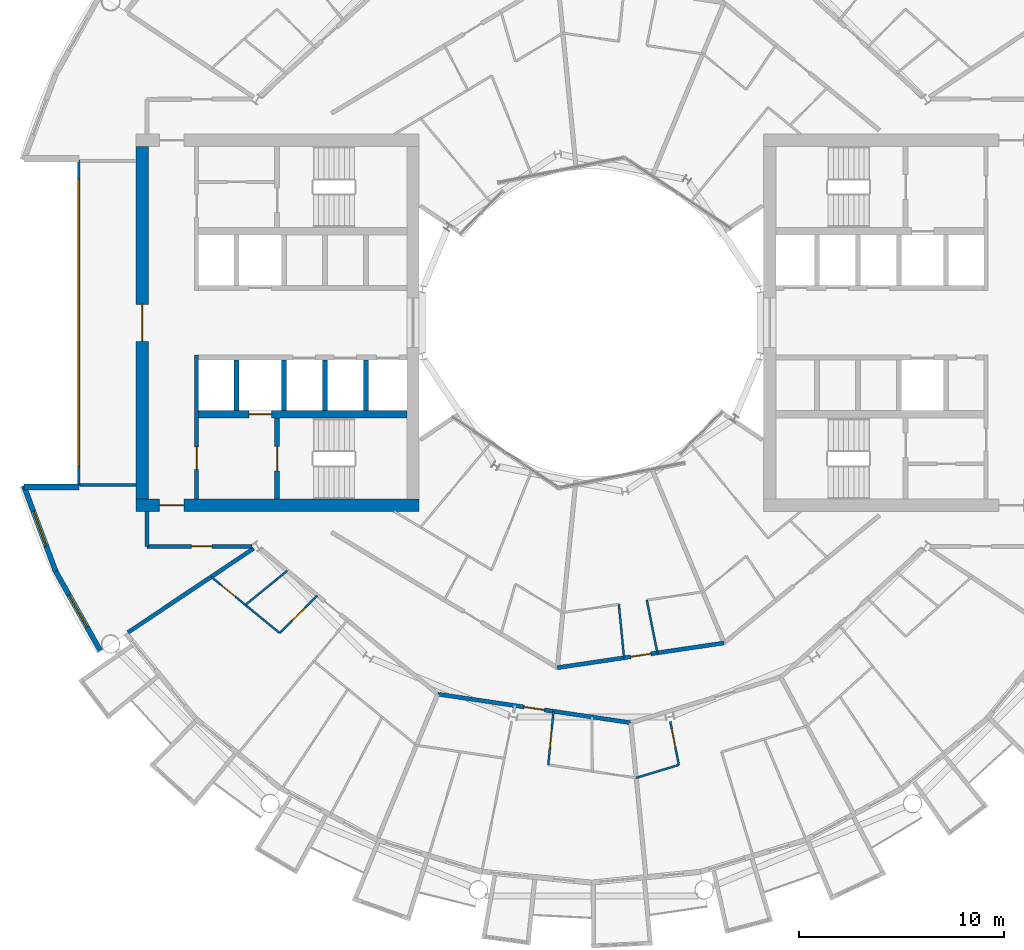
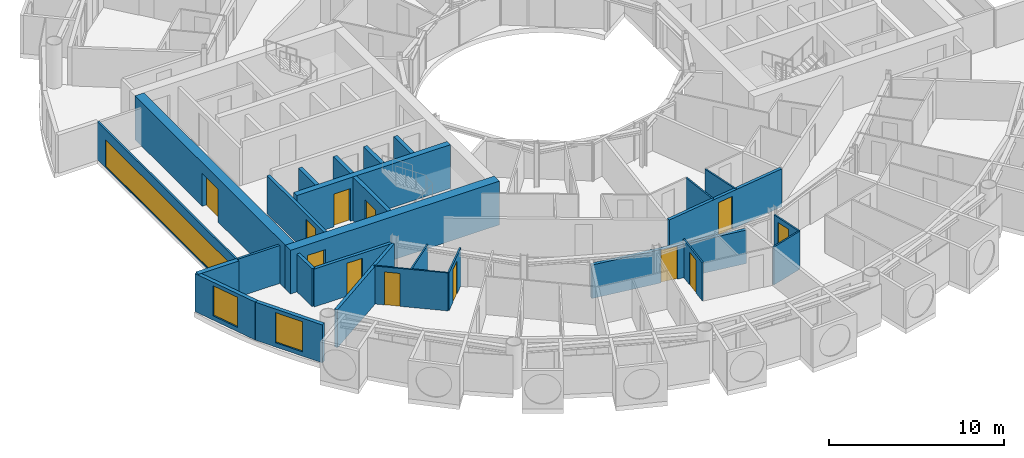
# One storey, part 15 of 27: 27 walls, 12 doors, 3 windows, 15 openings.
"""IFC4 building model written with IfcOpenShell, lengths in metres."""

from ifc_helpers import new_model, si_unit, direction, frame, frame_2d, origin, place, context, subcontext, project, spatial, rectangle, extrude, material, layer, layer_set, type_object, element, fill, save


model = new_model("IFC4")

# Units and contexts
model_context = context("Model", 3, precision=1e-05, world=origin(), true_north=direction((0.0, 1.0)))
body_context = subcontext(model_context, "Body", "Model", "MODEL_VIEW")
ifc_project = project(units=[si_unit("LENGTHUNIT", "METRE"), si_unit("AREAUNIT", "SQUARE_METRE"), si_unit("VOLUMEUNIT", "CUBIC_METRE"), si_unit("PLANEANGLEUNIT", "RADIAN"), si_unit("MASSUNIT", "GRAM", prefix="KILO")], contexts=[model_context])

# Site, building, storey
site_placement = place(None, origin())
site = spatial("IfcSite", under=ifc_project, at=site_placement, CompositionType="ELEMENT")
building_placement = place(site_placement, origin())
building = spatial("IfcBuilding", under=site, at=building_placement, Name="Maasbend Ring Residences", CompositionType="ELEMENT")
storey_placement = place(building_placement, frame((0.0, 0.0, 136.050048828125)))
storey = spatial("IfcBuildingStorey", under=building, at=storey_placement, Name="L39", CompositionType="ELEMENT", Elevation=136.050048828125)

# Wall, opening, door
ifc_material_1 = material(Name="Concrete C60/75", Category="concrete")
ifc_layer_1 = layer(ifc_material_1, 0.25)
ifc_layer_set_1 = layer_set([ifc_layer_1], Name="Concrete C60/75")
wall_type_1 = type_object("IfcWallType", Name="CORE WALL 250 C60/75", PredefinedType="SHEAR", material=ifc_layer_set_1)
wall_1_placement = place(storey_placement, frame((-15.324951171875, -4.64990234375, 0.0), z_axis=(0.0, 0.0, 1.0), x_axis=(0.0, -1.0, 0.0)))
wall_1 = element("IfcWall", 1, at=wall_1_placement, inside=storey, type_object=wall_type_1, Name="L39 core W wall STEN", PredefinedType="SHEAR", context=body_context, shape_type="SweptSolid", body=[
    extrude(rectangle(XDim=3.9501953125, YDim=0.25, at=frame_2d((1.97509765625, 0.0))), origin(), (0.0, 0.0, 1.0), 3.050048828125),
])
opening_1_placement = place(wall_1_placement, frame((1.375, 0.0, 0.0)))
opening_1 = element("IfcOpeningElement", 2, at=opening_1_placement, cuts=wall_1, Name="Opening D-W3907", PredefinedType="OPENING", context=body_context, shape_type="SweptSolid", body=[
    extrude(rectangle(XDim=1.199951171875, YDim=2.300048828125, at=frame_2d((0.60009765625, 1.14990234375))), frame((0.0, 0.135009765625, 0.0), z_axis=(0.0, -1.0, 0.0), x_axis=(1.0, 0.0, 0.0)), (0.0, 0.0, 1.0), 0.27001953125),
])
ifc_material_2 = material(Name="Steel, powder coated", Category="steel")
door_type_1 = type_object("IfcDoorType", Name="STAIR DOOR 1200 X 2300 FD60", OperationType="NOTDEFINED", PredefinedType="DOOR", material=ifc_material_2)
door_1_placement = place(opening_1_placement, origin())
door_1 = element("IfcDoor", 3, at=door_1_placement, inside=storey, type_object=door_type_1, Name="Stair door ST-W L39", OperationType="SINGLE_SWING_LEFT", OverallHeight=2.300048828125, OverallWidth=1.199951171875, PredefinedType="DOOR", context=body_context, shape_type="SweptSolid", body=[
    extrude(rectangle(XDim=1.199951171875, YDim=2.300048828125, at=frame_2d((0.60009765625, 1.14990234375))), frame((0.0, 0.02490234375, 0.0), z_axis=(0.0, -1.0, 0.0), x_axis=(1.0, 0.0, 0.0)), (0.0, 0.0, 1.0), 0.050048828125),
])
fill(opening_1, door_1)

ifc_material_3 = material(Name="Concrete C60/75", Category="concrete")
ifc_layer_2 = layer(ifc_material_3, 0.375)
ifc_layer_set_2 = layer_set([ifc_layer_2], Name="Concrete C60/75")
wall_type_2 = type_object("IfcWallType", Name="CORE WALL 375 C60/75", PredefinedType="SHEAR", material=ifc_layer_set_2)
wall_2_placement = place(storey_placement, frame((-9.0, -4.46240234375, 0.0), z_axis=(0.0, 0.0, 1.0), x_axis=(-1.0, 0.0, 0.0)))
wall_2 = element("IfcWall", 4, at=wall_2_placement, inside=storey, type_object=wall_type_2, Name="L39 core W wall BN", PredefinedType="SHEAR", context=body_context, shape_type="SweptSolid", body=[
    extrude(rectangle(XDim=10.14990234375, YDim=0.375, at=frame_2d((5.074951171875, 0.0))), origin(), (0.0, 0.0, 1.0), 3.050048828125),
])
opening_2_placement = place(wall_2_placement, frame((6.60009765625, 0.0, 0.0)))
opening_2 = element("IfcOpeningElement", 5, at=opening_2_placement, cuts=wall_2, Name="Opening LD-W3904", PredefinedType="OPENING", context=body_context, shape_type="SweptSolid", body=[
    extrude(rectangle(XDim=1.10009765625, YDim=2.300048828125, at=frame_2d((0.550048828125, 1.14990234375))), frame((0.0, 0.197509765625, 0.0), z_axis=(0.0, -1.0, 0.0), x_axis=(1.0, 0.0, 0.0)), (0.0, 0.0, 1.0), 0.39501953125),
])
ifc_material_4 = material(Name="Stainless steel 316", Category="steel")
door_type_2 = type_object("IfcDoorType", Name="LANDING DOOR 1100 X 2300 FD60", OperationType="DOUBLE_DOOR_SLIDING", PredefinedType="DOOR", material=ifc_material_4)
door_2_placement = place(opening_2_placement, origin())
door_2 = element("IfcDoor", 6, at=door_2_placement, inside=storey, type_object=door_type_2, Name="Landing door FF-W L39", OperationType="DOUBLE_DOOR_SLIDING", OverallHeight=2.300048828125, OverallWidth=1.10009765625, PredefinedType="DOOR", context=body_context, shape_type="SweptSolid", body=[
    extrude(rectangle(XDim=1.10009765625, YDim=2.300048828125, at=frame_2d((0.550048828125, 1.14990234375))), frame((0.0, 0.02490234375, 0.0), z_axis=(0.0, -1.0, 0.0), x_axis=(1.0, 0.0, 0.0)), (0.0, 0.0, 1.0), 0.050048828125),
])
fill(opening_2, door_2)

ifc_material_5 = material(Name="Concrete C60/75", Category="concrete")
ifc_layer_3 = layer(ifc_material_5, 0.60009765625)
ifc_layer_set_3 = layer_set([ifc_layer_3], Name="Concrete C60/75")
wall_type_3 = type_object("IfcWallType", Name="CORE WALL 600 C60/75", PredefinedType="SHEAR", material=ifc_layer_set_3)
wall_3_placement = place(storey_placement, frame((-22.199951171875, -8.89990234375, 0.0), z_axis=(0.0, 0.0, 1.0), x_axis=(1.0, 0.0, 0.0)))
wall_3 = element("IfcWall", 7, at=wall_3_placement, inside=storey, type_object=wall_type_3, Name="L39 core W wall PN", PredefinedType="SHEAR", context=body_context, shape_type="SweptSolid", body=[
    extrude(rectangle(XDim=13.800048828125, YDim=0.60009765625, at=frame_2d((6.89990234375, 0.0))), origin(), (0.0, 0.0, 1.0), 3.050048828125),
])
opening_3_placement = place(wall_3_placement, frame((1.125, 0.0, 0.0)))
opening_3 = element("IfcOpeningElement", 8, at=opening_3_placement, cuts=wall_3, Name="Opening D-W3911", PredefinedType="OPENING", context=body_context, shape_type="SweptSolid", body=[
    extrude(rectangle(XDim=1.199951171875, YDim=2.300048828125, at=frame_2d((0.60009765625, 1.14990234375))), frame((0.0, 0.31005859375, 0.0), z_axis=(0.0, -1.0, 0.0), x_axis=(1.0, 0.0, 0.0)), (0.0, 0.0, 1.0), 0.6201171875),
])
ifc_material_6 = material(Name="Steel, powder coated", Category="steel")
door_type_3 = type_object("IfcDoorType", Name="CORRIDOR DOOR 1200 X 2300 FD30S", OperationType="NOTDEFINED", PredefinedType="DOOR", material=ifc_material_6)
door_3_placement = place(opening_3_placement, origin())
door_3 = element("IfcDoor", 9, at=door_3_placement, inside=storey, type_object=door_type_3, Name="Corridor door L39", OperationType="SINGLE_SWING_RIGHT", OverallHeight=2.300048828125, OverallWidth=1.199951171875, PredefinedType="DOOR", context=body_context, shape_type="SweptSolid", body=[
    extrude(rectangle(XDim=1.199951171875, YDim=2.300048828125, at=frame_2d((0.60009765625, 1.14990234375))), frame((0.0, 0.02490234375, 0.0), z_axis=(0.0, -1.0, 0.0), x_axis=(1.0, 0.0, 0.0)), (0.0, 0.0, 1.0), 0.050048828125),
])
fill(opening_3, door_3)

wall_4_placement = place(storey_placement, frame((-21.89990234375, -8.60009765625, 0.0), z_axis=(0.0, 0.0, 1.0), x_axis=(0.0, 1.0, 0.0)))
wall_4 = element("IfcWall", 10, at=wall_4_placement, inside=storey, type_object=wall_type_3, Name="L39 core W wall POUT", PredefinedType="SHEAR", context=body_context, shape_type="SweptSolid", body=[
    extrude(rectangle(XDim=17.2001953125, YDim=0.60009765625, at=frame_2d((8.60009765625, 0.0))), origin(), (0.0, 0.0, 1.0), 3.050048828125),
])
opening_4_placement = place(wall_4_placement, frame((7.699951171875, 0.0, 0.0)))
opening_4 = element("IfcOpeningElement", 11, at=opening_4_placement, cuts=wall_4, Name="Opening D-W3913", PredefinedType="OPENING", context=body_context, shape_type="SweptSolid", body=[
    extrude(rectangle(XDim=1.800048828125, YDim=2.300048828125, at=frame_2d((0.89990234375, 1.14990234375))), frame((0.0, 0.31005859375, 0.0), z_axis=(0.0, -1.0, 0.0), x_axis=(1.0, 0.0, 0.0)), (0.0, 0.0, 1.0), 0.6201171875),
])
ifc_material_7 = material(Name="Aluminium frame, clear glass", Category="aluminium")
door_type_4 = type_object("IfcDoorType", Name="ENTRANCE DOOR 1800 X 2300 FD60", OperationType="NOTDEFINED", PredefinedType="DOOR", material=ifc_material_7)
door_4_placement = place(opening_4_placement, origin())
door_4 = element("IfcDoor", 12, at=door_4_placement, inside=storey, type_object=door_type_4, Name="Lobby glazed door L39", OperationType="SINGLE_SWING_LEFT", OverallHeight=2.300048828125, OverallWidth=1.800048828125, PredefinedType="DOOR", context=body_context, shape_type="SweptSolid", body=[
    extrude(rectangle(XDim=1.800048828125, YDim=2.300048828125, at=frame_2d((0.89990234375, 1.14990234375))), frame((0.0, 0.02490234375, 0.0), z_axis=(0.0, -1.0, 0.0), x_axis=(1.0, 0.0, 0.0)), (0.0, 0.0, 1.0), 0.050048828125),
])
fill(opening_4, door_4)

ifc_material_8 = material(Name="Concrete C30/37", Category="concrete")
ifc_layer_4 = layer(ifc_material_8, 0.199951171875)
ifc_layer_set_4 = layer_set([ifc_layer_4], Name="Concrete C30/37")
wall_type_4 = type_object("IfcWallType", Name="CORRIDOR WALL 200 CONCRETE", PredefinedType="PARTITIONING", material=ifc_layer_set_4)
wall_5_placement = place(storey_placement, frame((-7.4951171875, -18.111083984375, 0.0), z_axis=(0.0, 0.0, 1.0), x_axis=(0.989215286911, -0.146468823102, 0.0)))
wall_5 = element("IfcWall", 13, at=wall_5_placement, inside=storey, type_object=wall_type_4, Name="U-L39-w012", PredefinedType="PARTITIONING", context=body_context, shape_type="SweptSolid", body=[
    extrude(rectangle(XDim=9.531005859375, YDim=0.199951171875, at=frame_2d((4.765625, 0.0))), origin(), (0.0, 0.0, 1.0), 2.33984375),
])
opening_5_placement = place(wall_5_placement, frame((4.260009765625, 0.0, 0.0)))
opening_5 = element("IfcOpeningElement", 14, at=opening_5_placement, cuts=wall_5, Name="Opening D-3943", PredefinedType="OPENING", context=body_context, shape_type="SweptSolid", body=[
    extrude(rectangle(XDim=1.0, YDim=2.300048828125, at=frame_2d((0.5, 1.14990234375))), frame((0.0, 0.10986328125, 0.0), z_axis=(0.0, -1.0, 0.0), x_axis=(1.0, 0.0, 0.0)), (0.0, 0.0, 1.0), 0.219970703125),
])
ifc_material_9 = material(Name="Timber, fire-rated, painted", Category="wood")
door_type_5 = type_object("IfcDoorType", Name="FLAT ENTRANCE DOOR 1000 X 2300 FIRE-RATED", OperationType="NOTDEFINED", PredefinedType="DOOR", material=ifc_material_9)
door_5_placement = place(opening_5_placement, origin())
door_5 = element("IfcDoor", 15, at=door_5_placement, inside=storey, type_object=door_type_5, Name="D-3943", OperationType="SINGLE_SWING_LEFT", OverallHeight=2.300048828125, OverallWidth=1.0, PredefinedType="DOOR", context=body_context, shape_type="SweptSolid", body=[
    extrude(rectangle(XDim=1.0, YDim=2.300048828125, at=frame_2d((0.5, 1.14990234375))), frame((0.0, 0.02490234375, 0.0), z_axis=(0.0, -1.0, 0.0), x_axis=(1.0, 0.0, 0.0)), (0.0, 0.0, 1.0), 0.050048828125),
])
fill(opening_5, door_5)

wall_6_placement = place(storey_placement, frame((-1.657958984375, -16.819091796875, 0.0), z_axis=(0.0, 0.0, 1.0), x_axis=(0.989191327347, 0.146630549004, 0.0)))
wall_6 = element("IfcWall", 16, at=wall_6_placement, inside=storey, type_object=wall_type_4, Name="U-L39-w016", PredefinedType="PARTITIONING", context=body_context, shape_type="SweptSolid", body=[
    extrude(rectangle(XDim=8.2119140625, YDim=0.199951171875, at=frame_2d((4.10595703125, 0.0))), origin(), (0.0, 0.0, 1.0), 2.64990234375),
])
opening_6_placement = place(wall_6_placement, frame((3.60693359375, 0.0, 0.0)))
opening_6 = element("IfcOpeningElement", 17, at=opening_6_placement, cuts=wall_6, Name="Opening D-3964", PredefinedType="OPENING", context=body_context, shape_type="SweptSolid", body=[
    extrude(rectangle(XDim=1.0, YDim=2.300048828125, at=frame_2d((0.5, 1.14990234375))), frame((0.0, 0.10986328125, 0.0), z_axis=(0.0, -1.0, 0.0), x_axis=(1.0, 0.0, 0.0)), (0.0, 0.0, 1.0), 0.219970703125),
])
door_6_placement = place(opening_6_placement, origin())
door_6 = element("IfcDoor", 18, at=door_6_placement, inside=storey, type_object=door_type_5, Name="D-3964", OperationType="SINGLE_SWING_RIGHT", OverallHeight=2.300048828125, OverallWidth=1.0, PredefinedType="DOOR", context=body_context, shape_type="SweptSolid", body=[
    extrude(rectangle(XDim=1.0, YDim=2.300048828125, at=frame_2d((0.5, 1.14990234375))), frame((0.0, 0.02490234375, 0.0), z_axis=(0.0, -1.0, 0.0), x_axis=(1.0, 0.0, 0.0)), (0.0, 0.0, 1.0), 0.050048828125),
])
fill(opening_6, door_6)

wall_7_placement = place(storey_placement, frame((-21.675048828125, -10.89990234375, 0.0), z_axis=(0.0, 0.0, 1.0), x_axis=(0.99999670426, -0.002567385634, 0.0)))
wall_7 = element("IfcWall", 19, at=wall_7_placement, inside=storey, type_object=wall_type_4, Name="U-L39-w025", PredefinedType="PARTITIONING", context=body_context, shape_type="SweptSolid", body=[
    extrude(rectangle(XDim=5.135009765625, YDim=0.199951171875, at=frame_2d((2.5673828125, 0.0))), origin(), (0.0, 0.0, 1.0), 2.64990234375),
])
opening_7_placement = place(wall_7_placement, frame((2.1708984375, 0.0, 0.0)))
opening_7 = element("IfcOpeningElement", 20, at=opening_7_placement, cuts=wall_7, Name="Opening D-3971", PredefinedType="OPENING", context=body_context, shape_type="SweptSolid", body=[
    extrude(rectangle(XDim=1.0, YDim=2.300048828125, at=frame_2d((0.5, 1.14990234375))), frame((0.0, 0.10986328125, 0.0), z_axis=(0.0, -1.0, 0.0), x_axis=(1.0, 0.0, 0.0)), (0.0, 0.0, 1.0), 0.219970703125),
])
ifc_material_10 = material(Name="Timber, painted", Category="wood")
door_type_6 = type_object("IfcDoorType", Name="ROOM DOOR 1000 X 2300", OperationType="NOTDEFINED", PredefinedType="DOOR", material=ifc_material_10)
door_7_placement = place(opening_7_placement, origin())
door_7 = element("IfcDoor", 21, at=door_7_placement, inside=storey, type_object=door_type_6, Name="D-3971", OperationType="SINGLE_SWING_RIGHT", OverallHeight=2.300048828125, OverallWidth=1.0, PredefinedType="DOOR", context=body_context, shape_type="SweptSolid", body=[
    extrude(rectangle(XDim=1.0, YDim=2.300048828125, at=frame_2d((0.5, 1.14990234375))), frame((0.0, 0.02490234375, 0.0), z_axis=(0.0, -1.0, 0.0), x_axis=(1.0, 0.0, 0.0)), (0.0, 0.0, 1.0), 0.050048828125),
])
fill(opening_7, door_7)

# Wall
wall_8_placement = place(storey_placement, frame((-21.675048828125, -10.89990234375, 0.0), z_axis=(0.0, 0.0, 1.0), x_axis=(0.0, 1.0, 0.0)))
element("IfcWall", 22, at=wall_8_placement, inside=storey, type_object=wall_type_4, Name="U-L39-w123", PredefinedType="PARTITIONING", context=body_context, shape_type="SweptSolid", body=[
    extrude(rectangle(XDim=1.699951171875, YDim=0.199951171875, at=frame_2d((0.85009765625, 0.0))), origin(), (0.0, 0.0, 1.0), 2.64990234375),
])

# Wall, opening, window
ifc_material_11 = material(Name="Aluminium clad insulated panel", Category="aluminium")
ifc_layer_5 = layer(ifc_material_11, 0.25)
ifc_layer_set_5 = layer_set([ifc_layer_5], Name="EW-HORN")
wall_type_5 = type_object("IfcWallType", Name="EW-HORN", PredefinedType="SOLIDWALL", material=ifc_layer_set_5)
wall_9_placement = place(storey_placement, frame((-27.681884765625, -7.945068359375, 0.0), z_axis=(0.0, 0.0, 1.0), x_axis=(0.349247811493, -0.937030397675, 0.0)))
wall_9 = element("IfcWall", 23, at=wall_9_placement, inside=storey, type_object=wall_type_5, Name="Horn wall 3.1", PredefinedType="SOLIDWALL", context=body_context, shape_type="SweptSolid", body=[
    extrude(rectangle(XDim=4.4521484375, YDim=0.25, at=frame_2d((2.22607421875, 0.0))), origin(), (0.0, 0.0, 1.0), 2.64990234375),
])
opening_8_placement = place(wall_9_placement, frame((1.32666015625, 0.0, 0.300048828125)))
opening_8 = element("IfcOpeningElement", 24, at=opening_8_placement, cuts=wall_9, Name="Opening W-BX", PredefinedType="OPENING", context=body_context, shape_type="SweptSolid", body=[
    extrude(rectangle(XDim=1.800048828125, YDim=2.10009765625, at=frame_2d((0.89990234375, 1.050048828125))), frame((0.0, 0.135009765625, 0.0), z_axis=(0.0, -1.0, 0.0), x_axis=(1.0, 0.0, 0.0)), (0.0, 0.0, 1.0), 0.27001953125),
])
ifc_material_12 = material(Name="Aluminium and clear glass", Category="aluminium")
window_type_1 = type_object("IfcWindowType", Name="W-BX", PartitioningType="DOUBLE_PANEL_VERTICAL", PredefinedType="WINDOW", material=ifc_material_12)
window_1_placement = place(opening_8_placement, origin())
window_1 = element("IfcWindow", 25, at=window_1_placement, inside=storey, type_object=window_type_1, Name="Horn window 3.1", OverallHeight=2.10009765625, OverallWidth=1.800048828125, PartitioningType="SINGLE_PANEL", PredefinedType="WINDOW", context=body_context, shape_type="SweptSolid", body=[
    extrude(rectangle(XDim=1.800048828125, YDim=2.10009765625, at=frame_2d((0.89990234375, 1.050048828125))), frame((0.0, 0.030029296875, 0.0), z_axis=(0.0, -1.0, 0.0), x_axis=(1.0, 0.0, 0.0)), (0.0, 0.0, 1.0), 0.06005859375),
])
fill(opening_8, window_1)

wall_10_placement = place(storey_placement, frame((-26.126953125, -12.116943359375, 0.0), z_axis=(0.0, 0.0, 1.0), x_axis=(0.489696356642, -0.871893042919, 0.0)))
wall_10 = element("IfcWall", 26, at=wall_10_placement, inside=storey, type_object=wall_type_5, Name="Horn wall 3.2", PredefinedType="SOLIDWALL", context=body_context, shape_type="SweptSolid", body=[
    extrude(rectangle(XDim=4.45361328125, YDim=0.25, at=frame_2d((2.226806640625, 0.0))), origin(), (0.0, 0.0, 1.0), 2.64990234375),
])
opening_9_placement = place(wall_10_placement, frame((1.32666015625, 0.0, 0.300048828125)))
opening_9 = element("IfcOpeningElement", 27, at=opening_9_placement, cuts=wall_10, Name="Opening W-BX", PredefinedType="OPENING", context=body_context, shape_type="SweptSolid", body=[
    extrude(rectangle(XDim=1.800048828125, YDim=2.10009765625, at=frame_2d((0.89990234375, 1.050048828125))), frame((0.0, 0.135009765625, 0.0), z_axis=(0.0, -1.0, 0.0), x_axis=(1.0, 0.0, 0.0)), (0.0, 0.0, 1.0), 0.27001953125),
])
window_2_placement = place(opening_9_placement, origin())
window_2 = element("IfcWindow", 28, at=window_2_placement, inside=storey, type_object=window_type_1, Name="Horn window 3.2", OverallHeight=2.10009765625, OverallWidth=1.800048828125, PartitioningType="SINGLE_PANEL", PredefinedType="WINDOW", context=body_context, shape_type="SweptSolid", body=[
    extrude(rectangle(XDim=1.800048828125, YDim=2.10009765625, at=frame_2d((0.89990234375, 1.050048828125))), frame((0.0, 0.030029296875, 0.0), z_axis=(0.0, -1.0, 0.0), x_axis=(1.0, 0.0, 0.0)), (0.0, 0.0, 1.0), 0.06005859375),
])
fill(opening_9, window_2)

# Wall
ifc_material_13 = material(Name="Aluminium clad insulated panel", Category="aluminium")
ifc_layer_6 = layer(ifc_material_13, 0.300048828125)
ifc_layer_set_6 = layer_set([ifc_layer_6], Name="EW-RET")
wall_type_6 = type_object("IfcWallType", Name="EW-RET", PredefinedType="SOLIDWALL", material=ifc_layer_set_6)
wall_11_placement = place(storey_placement, frame((-25.0, -8.0, 0.0), z_axis=(0.0, 0.0, 1.0), x_axis=(-1.0, 0.0, 0.0)))
element("IfcWall", 29, at=wall_11_placement, inside=storey, type_object=wall_type_6, Name="Notch return wall west south", PredefinedType="SOLIDWALL", context=body_context, shape_type="SweptSolid", body=[
    extrude(rectangle(XDim=2.6669921875, YDim=0.300048828125, at=frame_2d((1.33349609375, 0.0))), origin(), (0.0, 0.0, 1.0), 2.64990234375),
])

# Wall, opening, window
ifc_material_14 = material(Name="Aluminium frame and clear glass", Category="aluminium")
ifc_layer_7 = layer(ifc_material_14, 0.1201171875)
ifc_layer_set_7 = layer_set([ifc_layer_7], Name="GLAZED SCREEN WALL 120 EI 60")
wall_type_7 = type_object("IfcWallType", Name="GLAZED SCREEN WALL 120 EI 60", PredefinedType="PARTITIONING", material=ifc_layer_set_7)
wall_12_placement = place(storey_placement, frame((-25.0, 7.949951171875, 0.0), z_axis=(0.0, 0.0, 1.0), x_axis=(0.0, -1.0, 0.0)))
wall_12 = element("IfcWall", 30, at=wall_12_placement, inside=storey, type_object=wall_type_7, Name="L39 core W wall FACE", PredefinedType="PARTITIONING", context=body_context, shape_type="SweptSolid", body=[
    extrude(rectangle(XDim=15.89990234375, YDim=0.1201171875, at=frame_2d((7.949951171875, 0.0))), origin(), (0.0, 0.0, 1.0), 2.64990234375),
])
opening_10_placement = place(wall_12_placement, frame((0.949951171875, 0.0, 0.10009765625)))
opening_10 = element("IfcOpeningElement", 31, at=opening_10_placement, cuts=wall_12, Name="Opening W-W3902", PredefinedType="OPENING", context=body_context, shape_type="SweptSolid", body=[
    extrude(rectangle(XDim=14.0, YDim=1.85009765625, at=frame_2d((7.0, 0.925048828125))), frame((0.0, 0.070068359375, 0.0), z_axis=(0.0, -1.0, 0.0), x_axis=(1.0, 0.0, 0.0)), (0.0, 0.0, 1.0), 0.14013671875),
])
ifc_material_15 = material(Name="Aluminium frame and clear glass", Category="aluminium")
window_type_2 = type_object("IfcWindowType", Name="FIXED WINDOW 14000 X 1850", PartitioningType="SINGLE_PANEL", PredefinedType="WINDOW", material=ifc_material_15)
window_3_placement = place(opening_10_placement, origin())
window_3 = element("IfcWindow", 32, at=window_3_placement, inside=storey, type_object=window_type_2, Name="Lobby window L39", OverallHeight=1.85009765625, OverallWidth=14.0, PartitioningType="SINGLE_PANEL", PredefinedType="WINDOW", context=body_context, shape_type="SweptSolid", body=[
    extrude(rectangle(XDim=14.0, YDim=1.85009765625, at=frame_2d((7.0, 0.925048828125))), frame((0.0, 0.030029296875, 0.0), z_axis=(0.0, -1.0, 0.0), x_axis=(1.0, 0.0, 0.0)), (0.0, 0.0, 1.0), 0.06005859375),
])
fill(opening_10, window_3)

# Wall
ifc_material_16 = material(Name="Gypsum board on steel studs", Category="steel")
ifc_layer_8 = layer(ifc_material_16, 0.10009765625)
ifc_layer_set_8 = layer_set([ifc_layer_8], Name="PARTITION 100 GYPSUM")
wall_type_8 = type_object("IfcWallType", Name="PARTITION 100 GYPSUM", PredefinedType="PARTITIONING", material=ifc_layer_set_8)
wall_13_placement = place(storey_placement, frame((2.179931640625, -22.195068359375, 0.0), z_axis=(0.0, 0.0, 1.0), x_axis=(0.956838221976, 0.290621088303, 0.0)))
element("IfcWall", 33, at=wall_13_placement, inside=storey, type_object=wall_type_8, Name="U-L39-w001", PredefinedType="PARTITIONING", context=body_context, shape_type="SweptSolid", body=[
    extrude(rectangle(XDim=2.175048828125, YDim=0.10009765625, at=frame_2d((1.08740234375, 0.0))), origin(), (0.0, 0.0, 1.0), 2.64990234375),
])

# Wall, opening, door
wall_14_placement = place(storey_placement, frame((-18.5419921875, -12.388916015625, 0.0), z_axis=(0.0, 0.0, 1.0), x_axis=(0.772975913823, -0.634435368379, 0.0)))
wall_14 = element("IfcWall", 34, at=wall_14_placement, inside=storey, type_object=wall_type_8, Name="U-L39-w009", PredefinedType="PARTITIONING", context=body_context, shape_type="SweptSolid", body=[
    extrude(rectangle(XDim=4.315673828125, YDim=0.10009765625, at=frame_2d((2.15771484375, 0.0))), origin(), (0.0, 0.0, 1.0), 2.64990234375),
])
opening_11_placement = place(wall_14_placement, frame((0.62890625, 0.0, 0.0)))
opening_11 = element("IfcOpeningElement", 35, at=opening_11_placement, cuts=wall_14, Name="Opening D-3937", PredefinedType="OPENING", context=body_context, shape_type="SweptSolid", body=[
    extrude(rectangle(XDim=0.89990234375, YDim=2.300048828125, at=frame_2d((0.449951171875, 1.14990234375))), frame((0.0, 0.06005859375, 0.0), z_axis=(0.0, -1.0, 0.0), x_axis=(1.0, 0.0, 0.0)), (0.0, 0.0, 1.0), 0.1201171875),
])
ifc_material_17 = material(Name="Timber, painted", Category="wood")
door_type_7 = type_object("IfcDoorType", Name="INTERNAL DOOR 900 X 2300", OperationType="NOTDEFINED", PredefinedType="DOOR", material=ifc_material_17)
door_8_placement = place(opening_11_placement, origin())
door_8 = element("IfcDoor", 36, at=door_8_placement, inside=storey, type_object=door_type_7, Name="D-3937", OperationType="SINGLE_SWING_LEFT", OverallHeight=2.300048828125, OverallWidth=0.89990234375, PredefinedType="DOOR", context=body_context, shape_type="SweptSolid", body=[
    extrude(rectangle(XDim=0.89990234375, YDim=2.300048828125, at=frame_2d((0.449951171875, 1.14990234375))), frame((0.0, 0.02490234375, 0.0), z_axis=(0.0, -1.0, 0.0), x_axis=(1.0, 0.0, 0.0)), (0.0, 0.0, 1.0), 0.050048828125),
])
fill(opening_11, door_8)

# Wall
wall_15_placement = place(storey_placement, frame((-16.8740234375, -13.758056640625, 0.0), z_axis=(0.0, 0.0, 1.0), x_axis=(0.774979608522, 0.631986239072, 0.0)))
element("IfcWall", 37, at=wall_15_placement, inside=storey, type_object=wall_type_8, Name="U-L39-w034", PredefinedType="PARTITIONING", context=body_context, shape_type="SweptSolid", body=[
    extrude(rectangle(XDim=2.63623046875, YDim=0.10009765625, at=frame_2d((1.318115234375, 0.0))), origin(), (0.0, 0.0, 1.0), 2.64990234375),
])

# Wall, opening, door
wall_16_placement = place(storey_placement, frame((-15.201904296875, -15.131103515625, 0.0), z_axis=(0.0, 0.0, 1.0), x_axis=(0.708796844581, 0.705412668665, 0.0)))
wall_16 = element("IfcWall", 38, at=wall_16_placement, inside=storey, type_object=wall_type_8, Name="U-L39-w036", PredefinedType="PARTITIONING", context=body_context, shape_type="SweptSolid", body=[
    extrude(rectangle(XDim=2.59716796875, YDim=0.10009765625, at=frame_2d((1.298583984375, 0.0))), origin(), (0.0, 0.0, 1.0), 2.64990234375),
])
opening_12_placement = place(wall_16_placement, frame((0.84912109375, 0.0, 0.0)))
opening_12 = element("IfcOpeningElement", 39, at=opening_12_placement, cuts=wall_16, Name="Opening D-3938", PredefinedType="OPENING", context=body_context, shape_type="SweptSolid", body=[
    extrude(rectangle(XDim=0.89990234375, YDim=2.300048828125, at=frame_2d((0.449951171875, 1.14990234375))), frame((0.0, 0.06005859375, 0.0), z_axis=(0.0, -1.0, 0.0), x_axis=(1.0, 0.0, 0.0)), (0.0, 0.0, 1.0), 0.1201171875),
])
door_9_placement = place(opening_12_placement, origin())
door_9 = element("IfcDoor", 40, at=door_9_placement, inside=storey, type_object=door_type_7, Name="D-3938", OperationType="SINGLE_SWING_LEFT", OverallHeight=2.300048828125, OverallWidth=0.89990234375, PredefinedType="DOOR", context=body_context, shape_type="SweptSolid", body=[
    extrude(rectangle(XDim=0.89990234375, YDim=2.300048828125, at=frame_2d((0.449951171875, 1.14990234375))), frame((0.0, 0.02490234375, 0.0), z_axis=(0.0, -1.0, 0.0), x_axis=(1.0, 0.0, 0.0)), (0.0, 0.0, 1.0), 0.050048828125),
])
fill(opening_12, door_9)

wall_17_placement = place(storey_placement, frame((-2.10205078125, -21.556884765625, 0.0), z_axis=(0.0, 0.0, 1.0), x_axis=(0.096922256818, 0.995291955224, 0.0)))
wall_17 = element("IfcWall", 41, at=wall_17_placement, inside=storey, type_object=wall_type_8, Name="U-L39-w058", PredefinedType="PARTITIONING", context=body_context, shape_type="SweptSolid", body=[
    extrude(rectangle(XDim=2.622314453125, YDim=0.10009765625, at=frame_2d((1.31103515625, 0.0))), origin(), (0.0, 0.0, 1.0), 2.64990234375),
])
opening_13_placement = place(wall_17_placement, frame((0.861083984375, 0.0, 0.0)))
opening_13 = element("IfcOpeningElement", 42, at=opening_13_placement, cuts=wall_17, Name="Opening D-3945", PredefinedType="OPENING", context=body_context, shape_type="SweptSolid", body=[
    extrude(rectangle(XDim=0.89990234375, YDim=2.300048828125, at=frame_2d((0.449951171875, 1.14990234375))), frame((0.0, 0.06005859375, 0.0), z_axis=(0.0, -1.0, 0.0), x_axis=(1.0, 0.0, 0.0)), (0.0, 0.0, 1.0), 0.1201171875),
])
door_10_placement = place(opening_13_placement, origin())
door_10 = element("IfcDoor", 43, at=door_10_placement, inside=storey, type_object=door_type_7, Name="D-3945", OperationType="SINGLE_SWING_LEFT", OverallHeight=2.300048828125, OverallWidth=0.89990234375, PredefinedType="DOOR", context=body_context, shape_type="SweptSolid", body=[
    extrude(rectangle(XDim=0.89990234375, YDim=2.300048828125, at=frame_2d((0.449951171875, 1.14990234375))), frame((0.0, 0.02490234375, 0.0), z_axis=(0.0, -1.0, 0.0), x_axis=(1.0, 0.0, 0.0)), (0.0, 0.0, 1.0), 0.050048828125),
])
fill(opening_13, door_10)

# Walls
wall_18_placement = place(storey_placement, frame((1.339111328125, -13.72705078125, 0.0), z_axis=(0.0, 0.0, 1.0), x_axis=(0.096830025237, -0.995300932489, 0.0)))
element("IfcWall", 44, at=wall_18_placement, inside=storey, type_object=wall_type_8, Name="U-L39-w064", PredefinedType="PARTITIONING", context=body_context, shape_type="SweptSolid", body=[
    extrude(rectangle(XDim=2.6220703125, YDim=0.10009765625, at=frame_2d((1.31103515625, 0.0))), origin(), (0.0, 0.0, 1.0), 2.64990234375),
])
wall_19_placement = place(storey_placement, frame((2.7041015625, -13.52392578125, 0.0), z_axis=(0.0, 0.0, 1.0), x_axis=(0.195937128464, -0.980616460034, 0.0)))
element("IfcWall", 45, at=wall_19_placement, inside=storey, type_object=wall_type_8, Name="U-L39-w068", PredefinedType="PARTITIONING", context=body_context, shape_type="SweptSolid", body=[
    extrude(rectangle(XDim=2.622802734375, YDim=0.10009765625, at=frame_2d((1.3115234375, 0.0))), origin(), (0.0, 0.0, 1.0), 2.64990234375),
])

# Wall, opening, door
wall_20_placement = place(storey_placement, frame((3.846923828125, -19.43896484375, 0.0), z_axis=(0.0, 0.0, 1.0), x_axis=(0.194227580483, -0.980956495967, 0.0)))
wall_20 = element("IfcWall", 46, at=wall_20_placement, inside=storey, type_object=wall_type_8, Name="U-L39-w072", PredefinedType="PARTITIONING", context=body_context, shape_type="SweptSolid", body=[
    extrude(rectangle(XDim=2.163330078125, YDim=0.10009765625, at=frame_2d((1.08154296875, 0.0))), origin(), (0.0, 0.0, 1.0), 2.64990234375),
])
opening_14_placement = place(wall_20_placement, frame((0.383056640625, 0.0, 0.0)))
opening_14 = element("IfcOpeningElement", 47, at=opening_14_placement, cuts=wall_20, Name="Opening D-3950", PredefinedType="OPENING", context=body_context, shape_type="SweptSolid", body=[
    extrude(rectangle(XDim=0.89990234375, YDim=2.300048828125, at=frame_2d((0.449951171875, 1.14990234375))), frame((0.0, 0.06005859375, 0.0), z_axis=(0.0, -1.0, 0.0), x_axis=(1.0, 0.0, 0.0)), (0.0, 0.0, 1.0), 0.1201171875),
])
door_11_placement = place(opening_14_placement, origin())
door_11 = element("IfcDoor", 48, at=door_11_placement, inside=storey, type_object=door_type_7, Name="D-3950", OperationType="SINGLE_SWING_LEFT", OverallHeight=2.300048828125, OverallWidth=0.89990234375, PredefinedType="DOOR", context=body_context, shape_type="SweptSolid", body=[
    extrude(rectangle(XDim=0.89990234375, YDim=2.300048828125, at=frame_2d((0.449951171875, 1.14990234375))), frame((0.0, 0.02490234375, 0.0), z_axis=(0.0, -1.0, 0.0), x_axis=(1.0, 0.0, 0.0)), (0.0, 0.0, 1.0), 0.050048828125),
])
fill(opening_14, door_11)

# Walls
ifc_material_18 = material(Name="Gypsum board on steel studs", Category="steel")
ifc_layer_9 = layer(ifc_material_18, 0.14990234375)
ifc_layer_set_9 = layer_set([ifc_layer_9], Name="PARTITION 150 EI 60")
wall_type_9 = type_object("IfcWallType", Name="PARTITION 150 EI 60", PredefinedType="PARTITIONING", material=ifc_layer_set_9)
wall_21_placement = place(storey_placement, frame((-22.199951171875, -7.89990234375, 0.0), z_axis=(0.0, 0.0, 1.0), x_axis=(-1.0, 0.0, 0.0)))
element("IfcWall", 49, at=wall_21_placement, inside=storey, type_object=wall_type_9, Name="L39 core W wall CITN", PredefinedType="PARTITIONING", context=body_context, shape_type="SweptSolid", body=[
    extrude(rectangle(XDim=2.739990234375, YDim=0.14990234375, at=frame_2d((1.3701171875, 0.0))), origin(), (0.0, 0.0, 1.0), 2.64990234375),
])
ifc_material_19 = material(Name="Concrete C30/37", Category="concrete")
ifc_layer_10 = layer(ifc_material_19, 0.199951171875)
ifc_layer_set_10 = layer_set([ifc_layer_10], Name="Concrete C30/37")
wall_type_10 = type_object("IfcWallType", Name="PARTY WALL 200 CONCRETE", PredefinedType="PARTITIONING", material=ifc_layer_set_10)
wall_22_placement = place(storey_placement, frame((-22.594970703125, -15.096923828125, 0.0), z_axis=(0.0, 0.0, 1.0), x_axis=(0.831467903109, 0.555572791, 0.0)))
element("IfcWall", 50, at=wall_22_placement, inside=storey, type_object=wall_type_10, Name="U-L39-w029", PredefinedType="PARTITIONING", context=body_context, shape_type="SweptSolid", body=[
    extrude(rectangle(XDim=7.35791015625, YDim=0.199951171875, at=frame_2d((3.678955078125, 0.0))), origin(), (0.0, 0.0, 1.0), 2.64990234375),
])

# Wall, opening, door
ifc_material_20 = material(Name="Concrete C30/37", Category="concrete")
ifc_layer_11 = layer(ifc_material_20, 0.199951171875)
ifc_layer_set_11 = layer_set([ifc_layer_11], Name="Concrete C30/37")
wall_type_11 = type_object("IfcWallType", Name="SHAFT WALL 200 EI 120", PredefinedType="SOLIDWALL", material=ifc_layer_set_11)
wall_23_placement = place(storey_placement, frame((-19.25, -1.574951171875, 0.0), z_axis=(0.0, 0.0, 1.0), x_axis=(0.0, -1.0, 0.0)))
wall_23 = element("IfcWall", 51, at=wall_23_placement, inside=storey, type_object=wall_type_11, Name="L39 core W wall ENDN", PredefinedType="SOLIDWALL", context=body_context, shape_type="SweptSolid", body=[
    extrude(rectangle(XDim=7.025146484375, YDim=0.199951171875, at=frame_2d((3.5126953125, 0.0))), origin(), (0.0, 0.0, 1.0), 2.64990234375),
])
opening_15_placement = place(wall_23_placement, frame((4.47509765625, 0.0, 0.0)))
opening_15 = element("IfcOpeningElement", 52, at=opening_15_placement, cuts=wall_23, Name="Opening D-W3909", PredefinedType="OPENING", context=body_context, shape_type="SweptSolid", body=[
    extrude(rectangle(XDim=1.10009765625, YDim=2.300048828125, at=frame_2d((0.550048828125, 1.14990234375))), frame((0.0, 0.10986328125, 0.0), z_axis=(0.0, -1.0, 0.0), x_axis=(1.0, 0.0, 0.0)), (0.0, 0.0, 1.0), 0.219970703125),
])
ifc_material_21 = material(Name="Steel, powder coated", Category="steel")
door_type_8 = type_object("IfcDoorType", Name="LOBBY DOOR 1100 X 2300 FD60", OperationType="NOTDEFINED", PredefinedType="DOOR", material=ifc_material_21)
door_12_placement = place(opening_15_placement, origin())
door_12 = element("IfcDoor", 53, at=door_12_placement, inside=storey, type_object=door_type_8, Name="Lobby door L39", OperationType="SINGLE_SWING_LEFT", OverallHeight=2.300048828125, OverallWidth=1.10009765625, PredefinedType="DOOR", context=body_context, shape_type="SweptSolid", body=[
    extrude(rectangle(XDim=1.10009765625, YDim=2.300048828125, at=frame_2d((0.550048828125, 1.14990234375))), frame((0.0, 0.02490234375, 0.0), z_axis=(0.0, -1.0, 0.0), x_axis=(1.0, 0.0, 0.0)), (0.0, 0.0, 1.0), 0.050048828125),
])
fill(opening_15, door_12)

# Walls
ifc_material_22 = material(Name="Concrete C30/37", Category="concrete")
ifc_layer_12 = layer(ifc_material_22, 0.25)
ifc_layer_set_12 = layer_set([ifc_layer_12], Name="Concrete C30/37")
wall_type_12 = type_object("IfcWallType", Name="SHAFT WALL 250 EI 120", PredefinedType="SOLIDWALL", material=ifc_layer_set_12)
for number, where, z_axis, x_axis, name in (
    (54, (-15.0, -1.824951171875, 0.0), (0.0, 0.0, 1.0), (0.0, -1.0, 0.0), "L39 core W wall D150N"),
    (55, (-17.300048828125, -1.824951171875, 0.0), (0.0, 0.0, 1.0), (0.0, -1.0, 0.0), "L39 core W wall D173N"),
    (56, (-11.0, -1.824951171875, 0.0), (0.0, 0.0, 1.0), (0.0, -1.0, 0.0), "L39 core W wall D110N"),
    (57, (-13.0, -1.824951171875, 0.0), (0.0, 0.0, 1.0), (0.0, -1.0, 0.0), "L39 core W wall D130N"),
):
    element("IfcWall", number, at=place(storey_placement, frame(where, z_axis=z_axis, x_axis=x_axis)), inside=storey, type_object=wall_type_12, Name=name, PredefinedType="SOLIDWALL", context=body_context, shape_type="SweptSolid", body=[
        extrude(rectangle(XDim=2.449951171875, YDim=0.25, at=frame_2d((1.22509765625, 0.0))), origin(), (0.0, 0.0, 1.0), 2.64990234375),
    ])

save(model, "model.ifc")
